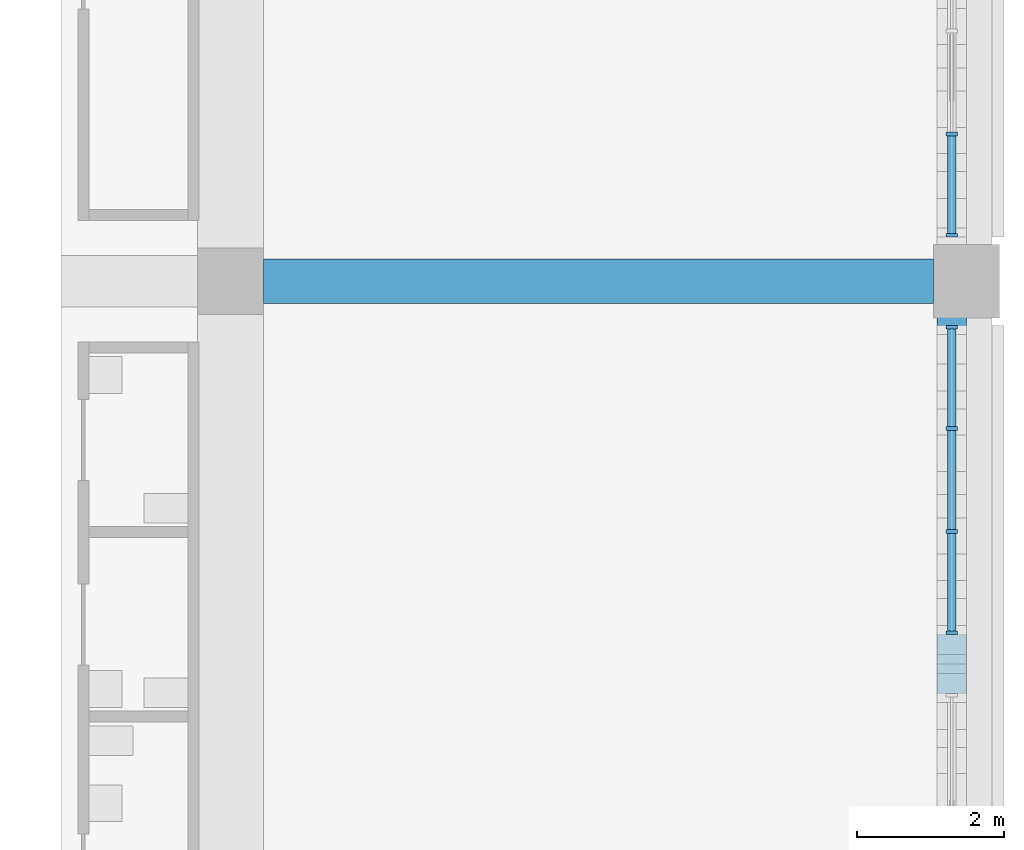
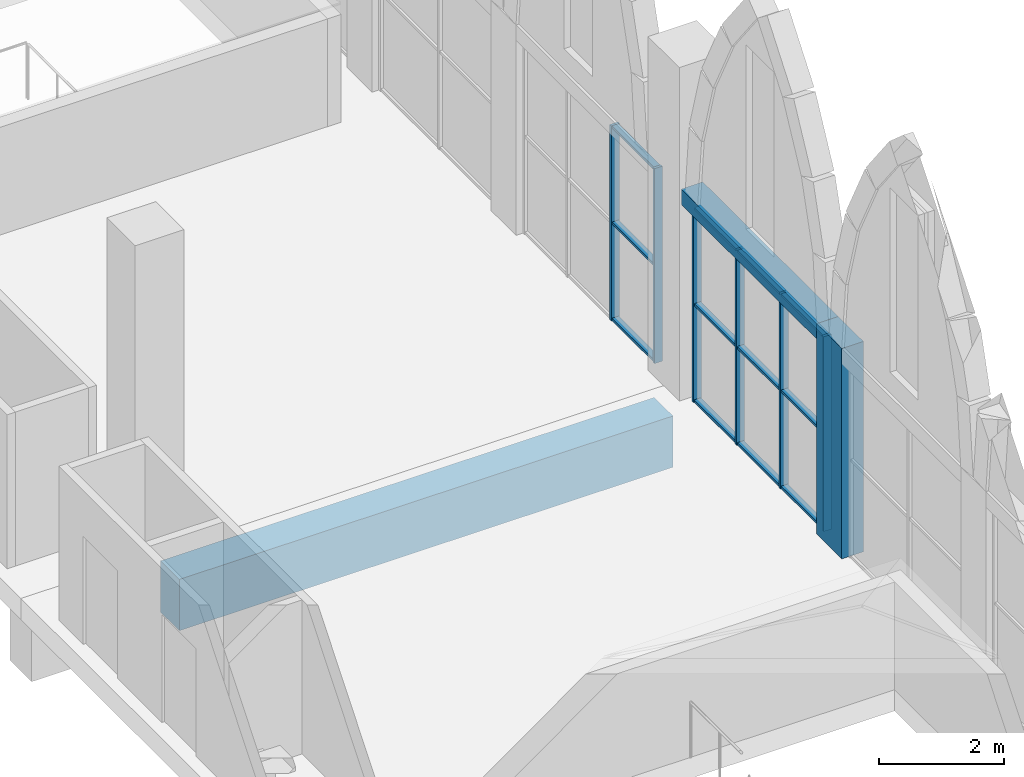
# One storey, part 28 of 130: 19 members, 2 beams, 2 elements without a shape of their own.
"""IFC4 building model written with IfcOpenShell, lengths in metres."""

from ifc_helpers import new_model, si_unit, direction, frame, origin, origin_2d, place, context, subcontext, project, spatial, rectangle, extrude, material, material_profile, profile_set, type_object, element, aggregate, save


model = new_model("IFC4")

# Units and contexts
model_context = context("Model", 3, precision=1e-05, world=origin(), true_north=direction((0.0, 1.0)))
body_context = subcontext(model_context, "Body", "Model", "MODEL_VIEW")
ifc_project = project(units=[si_unit("LENGTHUNIT", "METRE"), si_unit("AREAUNIT", "SQUARE_METRE"), si_unit("VOLUMEUNIT", "CUBIC_METRE"), si_unit("PLANEANGLEUNIT", "RADIAN"), si_unit("MASSUNIT", "GRAM", prefix="KILO")], contexts=[model_context])

# Site, building, storey
site_placement = place(None, origin())
site = spatial("IfcSite", under=ifc_project, at=site_placement, CompositionType="ELEMENT")
building_placement = place(site_placement, origin())
building = spatial("IfcBuilding", under=site, at=building_placement, Name="Ogive Plaza Stadium", CompositionType="ELEMENT")
storey_placement = place(building_placement, frame((0.0, 0.0, 22.5)))
storey = spatial("IfcBuildingStorey", under=building, at=storey_placement, Name="L05", CompositionType="ELEMENT", Elevation=22.5)

# Curtain wall, members
ifc_material_1 = material(Name="Bronze-anodised aluminium with laminated glass", Category="aluminium")
curtain_wall_type = type_object("IfcCurtainWallType", Name="Lancet curtain wall", PredefinedType="NOTDEFINED", material=ifc_material_1)
curtain_wall_1_placement = place(storey_placement, origin())
curtain_wall_1 = element("IfcCurtainWall", 1, at=curtain_wall_1_placement, inside=storey, type_object=curtain_wall_type, Name="CURTAIN WALL B02 L05", PredefinedType="NOTDEFINED")
ifc_material_2 = material(Name="Bronze-anodised aluminium", Category="aluminium")
ifc_material_profile_1 = material_profile(ifc_material_2, rectangle(XDim=0.14990234375, YDim=0.050048828125, at=origin_2d()), Name="AL 150x50")
ifc_profile_set_1 = profile_set([ifc_material_profile_1], Name="Bronze-anodised aluminium")
member_type_1 = type_object("IfcMemberType", Name="Curtain wall mullion 50x150", PredefinedType="MULLION", material=ifc_profile_set_1)
member_1_placement = place(storey_placement, frame((83.800048828125, 24.5, 0.0), z_axis=(0.0, 0.0, 1.0), x_axis=(1.0, 0.0, 0.0)))
member_1 = element("IfcMember", 2, at=member_1_placement, type_object=member_type_1, Name="CW-B02-L05.3 mullion 3", PredefinedType="MULLION", context=body_context, shape_type="SweptSolid", body=[
    extrude(rectangle(XDim=0.14990234375, YDim=0.050048828125, at=origin_2d()), origin(), (0.0, 0.0, 1.0), 3.800048828125),
])
member_2_placement = place(storey_placement, frame((83.800048828125, 23.125, 0.0), z_axis=(0.0, 0.0, 1.0), x_axis=(1.0, 0.0, 0.0)))
member_2 = element("IfcMember", 3, at=member_2_placement, type_object=member_type_1, Name="CW-B02-L05.3 mullion 4", PredefinedType="MULLION", context=body_context, shape_type="SweptSolid", body=[
    extrude(rectangle(XDim=0.14990234375, YDim=0.050048828125, at=origin_2d()), origin(), (0.0, 0.0, 1.0), 3.800048828125),
])

curtain_wall_2_placement = place(storey_placement, origin())
curtain_wall_2 = element("IfcCurtainWall", 4, at=curtain_wall_2_placement, inside=storey, type_object=curtain_wall_type, Name="CURTAIN WALL B03 L05", PredefinedType="NOTDEFINED")
member_3_placement = place(storey_placement, frame((83.800048828125, 21.875, 0.0), z_axis=(0.0, 0.0, 1.0), x_axis=(1.0, 0.0, 0.0)))
member_3 = element("IfcMember", 5, at=member_3_placement, type_object=member_type_1, Name="CW-B03-L05.1 mullion 1", PredefinedType="MULLION", context=body_context, shape_type="SweptSolid", body=[
    extrude(rectangle(XDim=0.14990234375, YDim=0.050048828125, at=origin_2d()), origin(), (0.0, 0.0, 1.0), 3.800048828125),
])
member_4_placement = place(storey_placement, frame((83.800048828125, 20.5, 0.0), z_axis=(0.0, 0.0, 1.0), x_axis=(1.0, 0.0, 0.0)))
member_4 = element("IfcMember", 6, at=member_4_placement, type_object=member_type_1, Name="CW-B03-L05.1 mullion 2", PredefinedType="MULLION", context=body_context, shape_type="SweptSolid", body=[
    extrude(rectangle(XDim=0.14990234375, YDim=0.050048828125, at=origin_2d()), origin(), (0.0, 0.0, 1.0), 3.800048828125),
])
member_5_placement = place(storey_placement, frame((83.800048828125, 19.10009765625, 0.0), z_axis=(0.0, 0.0, 1.0), x_axis=(1.0, 0.0, 0.0)))
member_5 = element("IfcMember", 7, at=member_5_placement, type_object=member_type_1, Name="CW-B03-L05.1 mullion 3", PredefinedType="MULLION", context=body_context, shape_type="SweptSolid", body=[
    extrude(rectangle(XDim=0.14990234375, YDim=0.050048828125, at=origin_2d()), origin(), (0.0, 0.0, 1.0), 3.800048828125),
])
member_6_placement = place(storey_placement, frame((83.800048828125, 17.72509765625, 0.0), z_axis=(0.0, 0.0, 1.0), x_axis=(1.0, 0.0, 0.0)))
member_6 = element("IfcMember", 8, at=member_6_placement, type_object=member_type_1, Name="CW-B03-L05.1 mullion 4", PredefinedType="MULLION", context=body_context, shape_type="SweptSolid", body=[
    extrude(rectangle(XDim=0.14990234375, YDim=0.050048828125, at=origin_2d()), origin(), (0.0, 0.0, 1.0), 3.800048828125),
])

# Member
ifc_material_3 = material(Name="Bronze-anodised aluminium", Category="aluminium")
ifc_material_profile_2 = material_profile(ifc_material_3, rectangle(XDim=0.1201171875, YDim=0.050048828125, at=origin_2d()), Name="AL 120x50")
ifc_profile_set_2 = profile_set([ifc_material_profile_2], Name="Bronze-anodised aluminium")
member_type_2 = type_object("IfcMemberType", Name="Curtain wall transom 50x120", PredefinedType="USERDEFINED", material=ifc_profile_set_2)
member_7_placement = place(storey_placement, frame((83.800048828125, 24.47509765625, 0.02490234375), z_axis=(0.0, -1.0, 0.0), x_axis=(1.0, 0.0, 0.0)))
member_7 = element("IfcMember", 9, at=member_7_placement, type_object=member_type_2, Name="CW-B02-L05.3 transom 3.1", ObjectType="TRANSOM", PredefinedType="USERDEFINED", context=body_context, shape_type="SweptSolid", body=[
    extrude(rectangle(XDim=0.1201171875, YDim=0.050048828125, at=origin_2d()), origin(), (0.0, 0.0, 1.0), 1.3251953125),
])

member_8_placement = place(storey_placement, frame((83.800048828125, 24.47509765625, 1.89990234375), z_axis=(0.0, -1.0, 0.0), x_axis=(1.0, 0.0, 0.0)))
member_8 = element("IfcMember", 10, at=member_8_placement, type_object=member_type_2, Name="CW-B02-L05.3 transom 3.2", ObjectType="TRANSOM", PredefinedType="USERDEFINED", context=body_context, shape_type="SweptSolid", body=[
    extrude(rectangle(XDim=0.1201171875, YDim=0.050048828125, at=origin_2d()), origin(), (0.0, 0.0, 1.0), 1.3251953125),
])

member_9_placement = place(storey_placement, frame((83.800048828125, 24.47509765625, 3.77490234375), z_axis=(0.0, -1.0, 0.0), x_axis=(1.0, 0.0, 0.0)))
member_9 = element("IfcMember", 11, at=member_9_placement, type_object=member_type_2, Name="CW-B02-L05.3 transom 3.3", ObjectType="TRANSOM", PredefinedType="USERDEFINED", context=body_context, shape_type="SweptSolid", body=[
    extrude(rectangle(XDim=0.1201171875, YDim=0.050048828125, at=origin_2d()), origin(), (0.0, 0.0, 1.0), 1.3251953125),
])

aggregate(curtain_wall_1, [member_1, member_2, member_7, member_8, member_9])

member_10_placement = place(storey_placement, frame((83.800048828125, 21.85009765625, 0.02490234375), z_axis=(0.0, -1.0, 0.0), x_axis=(1.0, 0.0, 0.0)))
member_10 = element("IfcMember", 12, at=member_10_placement, type_object=member_type_2, Name="CW-B03-L05.1 transom 1.1", ObjectType="TRANSOM", PredefinedType="USERDEFINED", context=body_context, shape_type="SweptSolid", body=[
    extrude(rectangle(XDim=0.1201171875, YDim=0.050048828125, at=origin_2d()), origin(), (0.0, 0.0, 1.0), 1.3251953125),
])

member_11_placement = place(storey_placement, frame((83.800048828125, 21.85009765625, 1.89990234375), z_axis=(0.0, -1.0, 0.0), x_axis=(1.0, 0.0, 0.0)))
member_11 = element("IfcMember", 13, at=member_11_placement, type_object=member_type_2, Name="CW-B03-L05.1 transom 1.2", ObjectType="TRANSOM", PredefinedType="USERDEFINED", context=body_context, shape_type="SweptSolid", body=[
    extrude(rectangle(XDim=0.1201171875, YDim=0.050048828125, at=origin_2d()), origin(), (0.0, 0.0, 1.0), 1.3251953125),
])

member_12_placement = place(storey_placement, frame((83.800048828125, 21.85009765625, 3.77490234375), z_axis=(0.0, -1.0, 0.0), x_axis=(1.0, 0.0, 0.0)))
member_12 = element("IfcMember", 14, at=member_12_placement, type_object=member_type_2, Name="CW-B03-L05.1 transom 1.3", ObjectType="TRANSOM", PredefinedType="USERDEFINED", context=body_context, shape_type="SweptSolid", body=[
    extrude(rectangle(XDim=0.1201171875, YDim=0.050048828125, at=origin_2d()), origin(), (0.0, 0.0, 1.0), 1.3251953125),
])

member_13_placement = place(storey_placement, frame((83.800048828125, 20.47509765625, 0.02490234375), z_axis=(0.0, -1.0, 0.0), x_axis=(1.0, 0.0, 0.0)))
member_13 = element("IfcMember", 15, at=member_13_placement, type_object=member_type_2, Name="CW-B03-L05.1 transom 2.1", ObjectType="TRANSOM", PredefinedType="USERDEFINED", context=body_context, shape_type="SweptSolid", body=[
    extrude(rectangle(XDim=0.1201171875, YDim=0.050048828125, at=origin_2d()), origin(), (0.0, 0.0, 1.0), 1.35009765625),
])

member_14_placement = place(storey_placement, frame((83.800048828125, 20.47509765625, 1.89990234375), z_axis=(0.0, -1.0, 0.0), x_axis=(1.0, 0.0, 0.0)))
member_14 = element("IfcMember", 16, at=member_14_placement, type_object=member_type_2, Name="CW-B03-L05.1 transom 2.2", ObjectType="TRANSOM", PredefinedType="USERDEFINED", context=body_context, shape_type="SweptSolid", body=[
    extrude(rectangle(XDim=0.1201171875, YDim=0.050048828125, at=origin_2d()), origin(), (0.0, 0.0, 1.0), 1.35009765625),
])

member_15_placement = place(storey_placement, frame((83.800048828125, 20.47509765625, 3.77490234375), z_axis=(0.0, -1.0, 0.0), x_axis=(1.0, 0.0, 0.0)))
member_15 = element("IfcMember", 17, at=member_15_placement, type_object=member_type_2, Name="CW-B03-L05.1 transom 2.3", ObjectType="TRANSOM", PredefinedType="USERDEFINED", context=body_context, shape_type="SweptSolid", body=[
    extrude(rectangle(XDim=0.1201171875, YDim=0.050048828125, at=origin_2d()), origin(), (0.0, 0.0, 1.0), 1.35009765625),
])

member_16_placement = place(storey_placement, frame((83.800048828125, 19.074951171875, 0.02490234375), z_axis=(0.0, -1.0, 0.0), x_axis=(1.0, 0.0, 0.0)))
member_16 = element("IfcMember", 18, at=member_16_placement, type_object=member_type_2, Name="CW-B03-L05.1 transom 3.1", ObjectType="TRANSOM", PredefinedType="USERDEFINED", context=body_context, shape_type="SweptSolid", body=[
    extrude(rectangle(XDim=0.1201171875, YDim=0.050048828125, at=origin_2d()), origin(), (0.0, 0.0, 1.0), 1.324951171875),
])

member_17_placement = place(storey_placement, frame((83.800048828125, 19.074951171875, 1.89990234375), z_axis=(0.0, -1.0, 0.0), x_axis=(1.0, 0.0, 0.0)))
member_17 = element("IfcMember", 19, at=member_17_placement, type_object=member_type_2, Name="CW-B03-L05.1 transom 3.2", ObjectType="TRANSOM", PredefinedType="USERDEFINED", context=body_context, shape_type="SweptSolid", body=[
    extrude(rectangle(XDim=0.1201171875, YDim=0.050048828125, at=origin_2d()), origin(), (0.0, 0.0, 1.0), 1.324951171875),
])

member_18_placement = place(storey_placement, frame((83.800048828125, 19.074951171875, 3.77490234375), z_axis=(0.0, -1.0, 0.0), x_axis=(1.0, 0.0, 0.0)))
member_18 = element("IfcMember", 20, at=member_18_placement, type_object=member_type_2, Name="CW-B03-L05.1 transom 3.3", ObjectType="TRANSOM", PredefinedType="USERDEFINED", context=body_context, shape_type="SweptSolid", body=[
    extrude(rectangle(XDim=0.1201171875, YDim=0.050048828125, at=origin_2d()), origin(), (0.0, 0.0, 1.0), 1.324951171875),
])

aggregate(curtain_wall_2, [member_3, member_4, member_5, member_6, member_10, member_11, member_12, member_13, member_14, member_15, member_16, member_17, member_18])

ifc_material_4 = material(Name="Concrete C45/55 precast", Category="concrete")
ifc_material_profile_3 = material_profile(ifc_material_4, rectangle(XDim=0.39990234375, YDim=0.800048828125, at=origin_2d()), Name="RC 400x800")
ifc_profile_set_3 = profile_set([ifc_material_profile_3], Name="Concrete C45/55 precast")
member_type_3 = type_object("IfcMemberType", Name="Precast colonette 800x400", PredefinedType="POST", material=ifc_profile_set_3)
member_19_placement = place(storey_placement, frame((83.800048828125, 17.300048828125, 0.0), z_axis=(0.0, 0.0, 1.0), x_axis=(1.0, 0.0, 0.0)))
element("IfcMember", 21, at=member_19_placement, inside=storey, type_object=member_type_3, Name="COLONETTE B03 1", PredefinedType="POST", context=body_context, shape_type="SweptSolid", body=[
    extrude(rectangle(XDim=0.39990234375, YDim=0.800048828125, at=origin_2d()), origin(), (0.0, 0.0, 1.0), 4.10009765625),
])

# Beams
ifc_material_5 = material(Name="Concrete C45/55 precast", Category="concrete")
ifc_material_profile_4 = material_profile(ifc_material_5, rectangle(XDim=0.39990234375, YDim=0.300048828125, at=origin_2d()), Name="RC 400x300")
ifc_profile_set_4 = profile_set([ifc_material_profile_4], Name="Concrete C45/55 precast")
beam_type_1 = type_object("IfcBeamType", Name="Precast tympanum lintel 400x300", PredefinedType="BEAM", material=ifc_profile_set_4)
beam_1_placement = place(storey_placement, frame((83.800048828125, 22.030029296875, 3.949951171875), z_axis=(0.0, -1.0, 0.0), x_axis=(1.0, 0.0, 0.0)))
element("IfcBeam", 22, at=beam_1_placement, inside=storey, type_object=beam_type_1, Name="TYMPANUM LINTEL B03 1", PredefinedType="BEAM", context=body_context, shape_type="SweptSolid", body=[
    extrude(rectangle(XDim=0.39990234375, YDim=0.300048828125, at=origin_2d()), origin(), (0.0, 0.0, 1.0), 4.360107421875),
])
ifc_material_6 = material(Name="Concrete C40/50", Category="concrete")
ifc_material_profile_5 = material_profile(ifc_material_6, rectangle(XDim=0.60009765625, YDim=1.0, at=origin_2d()), Name="RC 600x1000")
ifc_profile_set_5 = profile_set([ifc_material_profile_5], Name="Concrete C40/50")
beam_type_2 = type_object("IfcBeamType", Name="RC radial beam 600x1000", PredefinedType="BEAM", material=ifc_profile_set_5)
beam_2_placement = place(storey_placement, frame((74.449951171875, 22.5, -0.909912109375), z_axis=(1.0, 0.0, 0.0), x_axis=(0.0, 1.0, 0.0)))
element("IfcBeam", 23, at=beam_2_placement, inside=storey, type_object=beam_type_2, Name="Radial beam L05 R03 F4F5", PredefinedType="BEAM", context=body_context, shape_type="SweptSolid", body=[
    extrude(rectangle(XDim=0.60009765625, YDim=1.0, at=origin_2d()), origin(), (0.0, 0.0, 1.0), 9.10009765625),
])

save(model, "model.ifc")
